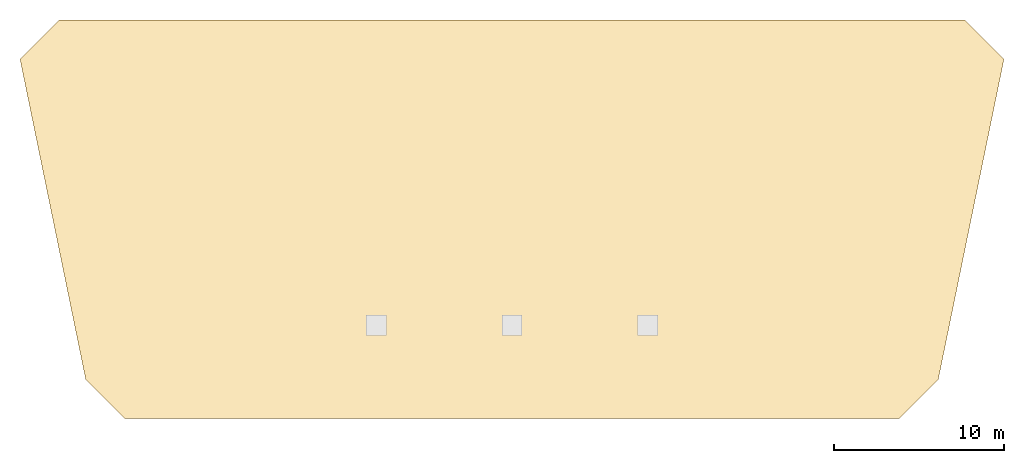
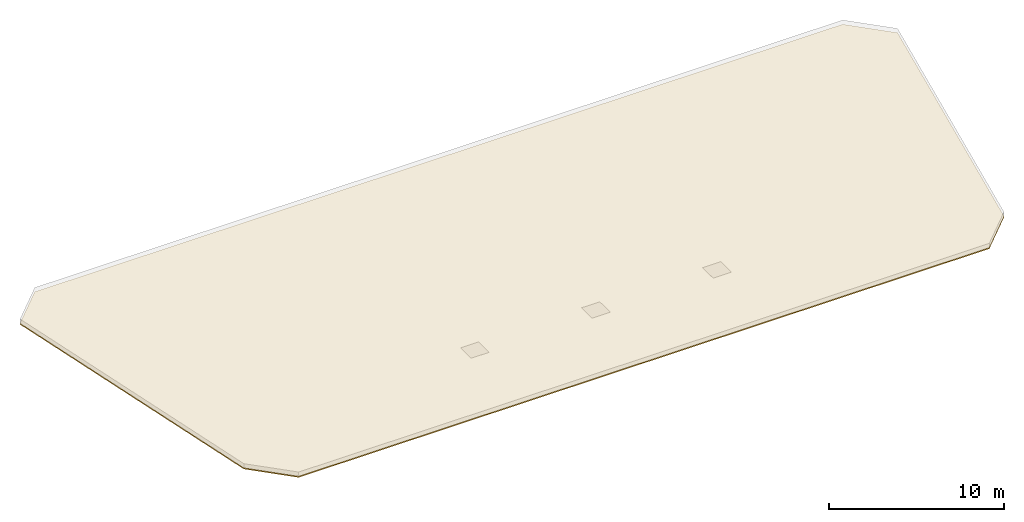
# One storey, part 2 of 2: 1 covering.
"""IFC4 building model written with IfcOpenShell, lengths in metres."""

from ifc_helpers import new_model, si_unit, direction, frame, origin, place, context, subcontext, project, spatial, polyline, outline, extrude, material, layer, layer_set, type_object, element, save


model = new_model("IFC4")

# Units and contexts
model_context = context("Model", 3, precision=1e-05, world=origin(), true_north=direction((0.0, 1.0)))
body_context = subcontext(model_context, "Body", "Model", "MODEL_VIEW")
ifc_project = project(units=[si_unit("LENGTHUNIT", "METRE"), si_unit("AREAUNIT", "SQUARE_METRE"), si_unit("VOLUMEUNIT", "CUBIC_METRE"), si_unit("PLANEANGLEUNIT", "RADIAN"), si_unit("MASSUNIT", "GRAM", prefix="KILO")], contexts=[model_context])

# Site, building, storey
site_placement = place(None, origin())
site = spatial("IfcSite", under=ifc_project, at=site_placement, CompositionType="ELEMENT")
building_placement = place(site_placement, origin())
building = spatial("IfcBuilding", under=site, at=building_placement, Name="Vaeldorn Concourse Tower", CompositionType="ELEMENT")
storey_placement = place(building_placement, frame((0.0, 0.0, 316.5)))
storey = spatial("IfcBuildingStorey", under=building, at=storey_placement, Name="ROOF", CompositionType="ELEMENT", Elevation=316.5)

# Covering
ifc_material = material(Name="EPDM Waterproof Membrane and Insulation", Category="plastic")
ifc_layer = layer(ifc_material, 0.080078125)
ifc_layer_set = layer_set([ifc_layer], Name="EPDM Waterproof Membrane and Insulation")
covering_type = type_object("IfcCoveringType", Name="COV-ROOFING-EPDM", PredefinedType="ROOFING", material=ifc_layer_set)
covering_placement = place(storey_placement, frame((0.0, 0.0, -0.080078125)))
element("IfcCovering", 1, at=covering_placement, inside=storey, type_object=covering_type, Name="Crown Main Roof Waterproofing L80", PredefinedType="ROOFING", context=body_context, shape_type="SweptSolid", body=[
    extrude(outline(polyline([(11.177490234375, 27.5), (56.822509765625, 27.5), (59.12255859375, 29.800048828125), (63.0, 48.699951171875), (60.699951171875, 51.0), (7.300048828125, 51.0), (5.0, 48.699951171875), (8.87744140625, 29.800048828125), (11.177490234375, 27.5)])), origin(), (0.0, 0.0, 1.0), 0.080078125),
])

save(model, "model.ifc")
